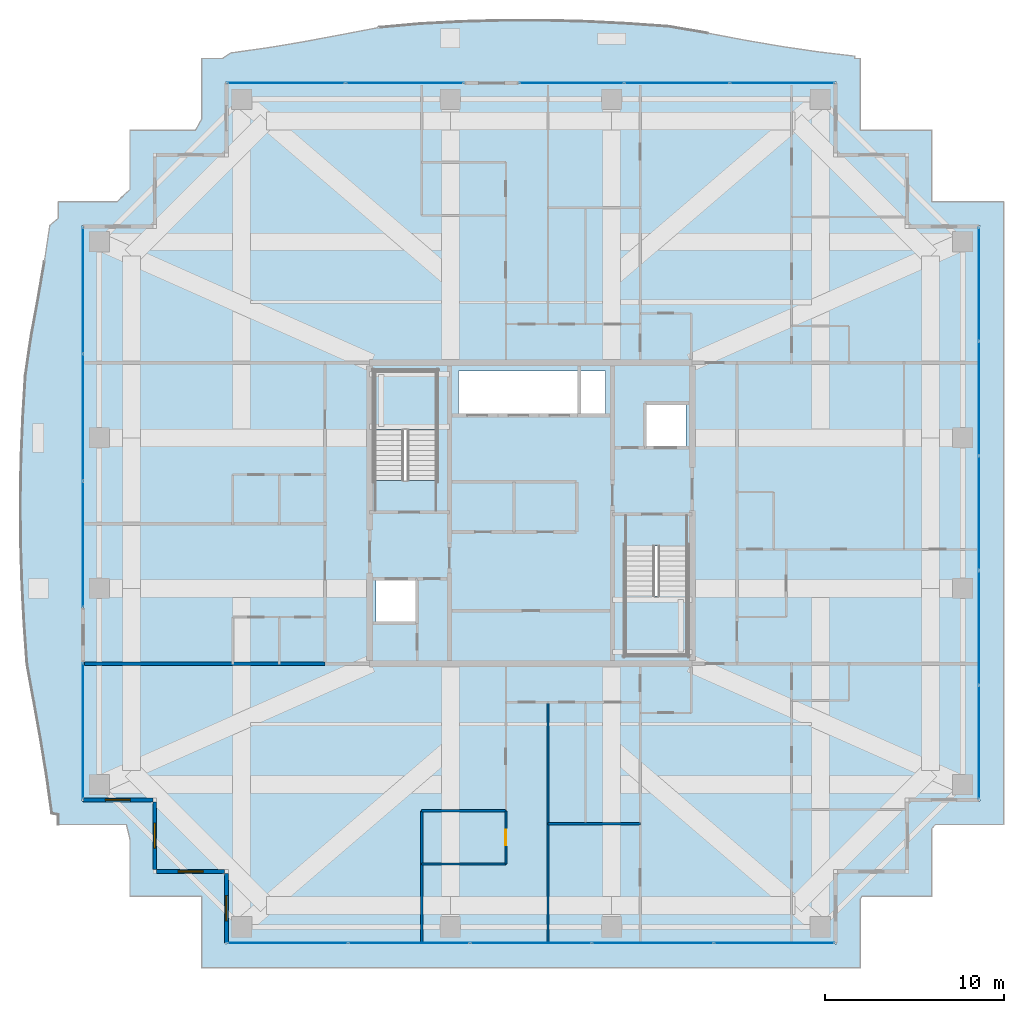
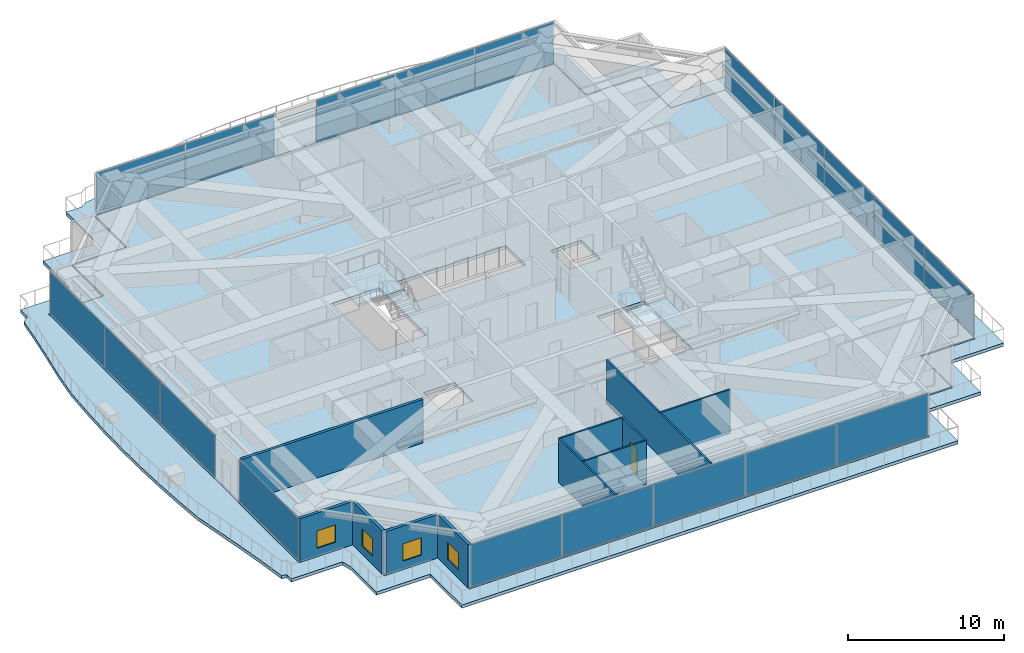
# One storey, part 27 of 39: 19 plates, 11 walls, 4 slabs, 4 windows, 1 door, 5 openings, 8 elements without a shape of their own.
"""IFC4 building model written with IfcOpenShell, lengths in metres."""

from ifc_helpers import new_model, si_unit, direction, frame, frame_2d, origin, origin_2d, place, context, subcontext, project, spatial, polyline, rectangle, outline, extrude, source, transform, mapped, material, layer, layer_set, type_object, element, fill, aggregate, save


model = new_model("IFC4")

# Units and contexts
model_context = context("Model", 3, precision=1e-05, world=origin(), true_north=direction((0.0, 1.0)))
body_context = subcontext(model_context, "Body", "Model", "MODEL_VIEW")
ifc_project = project(units=[si_unit("LENGTHUNIT", "METRE"), si_unit("AREAUNIT", "SQUARE_METRE"), si_unit("VOLUMEUNIT", "CUBIC_METRE"), si_unit("PLANEANGLEUNIT", "RADIAN"), si_unit("MASSUNIT", "GRAM", prefix="KILO")], contexts=[model_context])

# Site, building, storey
site_placement = place(None, origin())
site = spatial("IfcSite", under=ifc_project, at=site_placement, CompositionType="ELEMENT")
building_placement = place(site_placement, origin())
building = spatial("IfcBuilding", under=site, at=building_placement, Name="Serunith Strait Residences", CompositionType="ELEMENT")
storey_placement = place(building_placement, frame((0.0, 0.0, 283.60009765625)))
storey = spatial("IfcBuildingStorey", under=building, at=storey_placement, Name="L71", CompositionType="ELEMENT", Elevation=283.60009765625)

# Slab
ifc_material_1 = material(Name="Concrete C50/60", Category="concrete")
ifc_layer_1 = layer(ifc_material_1, 0.239990234375, Name="Concrete C50/60")
ifc_layer_set_1 = layer_set([ifc_layer_1], Name="Concrete C50/60")
slab_type_1 = type_object("IfcSlabType", Name="SLB-BALC-240", PredefinedType="FLOOR", material=ifc_layer_set_1)
slab_1_placement = place(storey_placement, frame((0.0, 0.0, -0.2900390625)))
element("IfcSlab", 1, at=slab_1_placement, inside=storey, type_object=slab_type_1, Name="L71 Planted Vertical-Forest Balcony Slab", PredefinedType="FLOOR", context=body_context, shape_type="SweptSolid", body=[
    extrude(outline(polyline([(6.02001953125, 7.820068359375), (6.02001953125, 8.379150390625), (5.656494140625, 8.440673828125), (5.374755859375, 10.47119140625), (5.040771484375, 12.523681640625), (4.665283203125, 14.614501953125), (4.2724609375, 16.76171875), (4.10888671875, 19.023193359375), (3.989013671875, 21.317138671875), (3.91748046875, 23.633544921875), (3.901611328125, 25.9599609375), (3.942626953125, 28.282958984375), (4.03759765625, 30.5888671875), (4.177978515625, 32.866943359375), (4.49658203125, 35.05908203125), (4.884033203125, 37.16943359375), (5.23828125, 39.2333984375), (5.543212890625, 41.269287109375), (6.02001953125, 41.67236328125), (6.02001953125, 42.580078125), (9.28466796875, 42.580078125), (10.02001953125, 43.265625), (10.02001953125, 46.580078125), (13.678955078125, 46.580078125), (14.02001953125, 47.198974609375), (14.02001953125, 50.580078125), (15.19189453125, 50.580078125), (15.632080078125, 50.88720703125), (17.65625, 51.17041015625), (19.700927734375, 51.511962890625), (21.7841796875, 51.901611328125), (23.927001953125, 52.31396484375), (26.18701171875, 52.51806640625), (28.493896484375, 52.638916015625), (30.82421875, 52.703125), (33.1640625, 52.704833984375), (35.4970703125, 52.644287109375), (37.80859375, 52.528076171875), (40.087890625, 52.3671875), (42.2626953125, 51.99658203125), (44.3623046875, 51.599365234375), (46.417724609375, 51.245849609375), (48.448486328125, 50.948974609375), (50.469482421875, 50.709716796875), (50.468505859375, 50.580078125), (50.780029296875, 50.580078125), (50.780029296875, 46.580078125), (54.780029296875, 46.580078125), (54.780029296875, 42.580078125), (58.780029296875, 42.580078125), (58.780029296875, 7.820068359375), (54.97509765625, 7.820068359375), (54.780029296875, 7.597900390625), (54.780029296875, 3.820068359375), (50.881103515625, 3.820068359375), (50.780029296875, 3.665283203125), (50.780029296875, -0.179931640625), (14.02001953125, -0.179931640625), (14.02001953125, 3.820068359375), (10.02001953125, 3.820068359375), (10.02001953125, 6.98779296875), (9.817626953125, 7.820068359375), (6.02001953125, 7.820068359375)]), holes=[polyline([(49.455078125, 1.14501953125), (49.455078125, 5.14501953125), (53.455078125, 5.14501953125), (53.455078125, 9.14501953125), (57.455078125, 9.14501953125), (57.455078125, 41.2548828125), (53.455078125, 41.2548828125), (53.455078125, 45.2548828125), (49.455078125, 45.2548828125), (49.455078125, 49.2548828125), (15.344970703125, 49.2548828125), (15.344970703125, 45.2548828125), (11.344970703125, 45.2548828125), (11.344970703125, 41.2548828125), (7.344970703125, 41.2548828125), (7.344970703125, 9.14501953125), (11.344970703125, 9.14501953125), (11.344970703125, 5.14501953125), (15.344970703125, 5.14501953125), (15.344970703125, 1.14501953125), (49.455078125, 1.14501953125)])]), origin(), (0.0, 0.0, 1.0), 0.239990234375),
])

# Stair, slab
stair_type_1 = type_object("IfcStairType", Name="STR-CORE-1", PredefinedType="HALF_TURN_STAIR", material=ifc_material_1)
stair_1_placement = place(storey_placement, origin())
stair_1 = element("IfcStair", 2, at=stair_1_placement, inside=storey, type_object=stair_type_1, Name="L71 Protected Escape Stair ST-1", PredefinedType="HALF_TURN_STAIR")
ifc_layer_2 = layer(ifc_material_1, 0.199951171875, Name="Concrete C50/60")
ifc_layer_set_2 = layer_set([ifc_layer_2], Name="Concrete C50/60")
slab_type_2 = type_object("IfcSlabType", Name="SLB-LAND-200", PredefinedType="LANDING", material=ifc_layer_set_2)
slab_2_placement = place(storey_placement, frame((0.0, 0.0, 1.724853515625)))
slab_2 = element("IfcSlab", 3, at=slab_2_placement, type_object=slab_type_2, Name="ST-1 landing 1", PredefinedType="LANDING", context=body_context, shape_type="SweptSolid", body=[
    extrude(outline(polyline([(27.14990234375, 29.830078125), (27.14990234375, 33.14990234375), (23.64990234375, 33.14990234375), (23.64990234375, 29.830078125), (27.14990234375, 29.830078125)])), origin(), (0.0, 0.0, 1.0), 0.199951171875),
])
aggregate(stair_1, [slab_2])

stair_type_2 = type_object("IfcStairType", Name="STR-CORE-2", PredefinedType="HALF_TURN_STAIR", material=ifc_material_1)
stair_2_placement = place(storey_placement, origin())
stair_2 = element("IfcStair", 4, at=stair_2_placement, inside=storey, type_object=stair_type_2, Name="L71 Protected Escape Stair ST-2", PredefinedType="HALF_TURN_STAIR")
slab_3_placement = place(storey_placement, frame((0.0, 0.0, 1.724853515625)))
slab_3 = element("IfcSlab", 5, at=slab_3_placement, type_object=slab_type_2, Name="ST-2 landing 1", PredefinedType="LANDING", context=body_context, shape_type="SweptSolid", body=[
    extrude(outline(polyline([(37.64990234375, 20.570068359375), (37.64990234375, 17.25), (41.14990234375, 17.25), (41.14990234375, 20.570068359375), (37.64990234375, 20.570068359375)])), origin(), (0.0, 0.0, 1.0), 0.199951171875),
])
aggregate(stair_2, [slab_3])

# Slab
ifc_material_2 = material(Name="Concrete C60/75", Category="concrete")
ifc_layer_3 = layer(ifc_material_2, 0.260009765625, Name="Concrete C60/75")
ifc_layer_set_3 = layer_set([ifc_layer_3], Name="Concrete C60/75")
slab_type_3 = type_object("IfcSlabType", Name="SLB-TWR-275-Z3", PredefinedType="FLOOR", material=ifc_layer_set_3)
slab_4_placement = place(storey_placement, frame((0.0, 0.0, -0.260009765625)))
element("IfcSlab", 6, at=slab_4_placement, inside=storey, type_object=slab_type_3, Name="L71 Structural Floor Plate", PredefinedType="FLOOR", context=body_context, shape_type="SweptSolid", body=[
    extrude(outline(polyline([(15.39990234375, 5.199951171875), (11.39990234375, 5.199951171875), (11.39990234375, 9.199951171875), (7.39990234375, 9.199951171875), (7.39990234375, 41.199951171875), (11.39990234375, 41.199951171875), (11.39990234375, 45.199951171875), (15.39990234375, 45.199951171875), (15.39990234375, 49.199951171875), (49.39990234375, 49.199951171875), (49.39990234375, 45.199951171875), (53.39990234375, 45.199951171875), (53.39990234375, 41.199951171875), (57.39990234375, 41.199951171875), (57.39990234375, 9.199951171875), (53.39990234375, 9.199951171875), (53.39990234375, 5.199951171875), (49.39990234375, 5.199951171875), (49.39990234375, 1.199951171875), (15.39990234375, 1.199951171875), (15.39990234375, 5.199951171875)]), holes=[polyline([(41.14990234375, 23.3701171875), (37.64990234375, 23.3701171875), (37.64990234375, 17.25), (41.14990234375, 17.25), (41.14990234375, 23.3701171875)]), polyline([(38.75, 31.25), (38.75, 28.85009765625), (41.050048828125, 28.85009765625), (41.050048828125, 31.25), (38.75, 31.25)]), polyline([(36.550048828125, 33.14990234375), (28.35009765625, 33.14990234375), (28.35009765625, 30.64990234375), (36.550048828125, 30.64990234375), (36.550048828125, 33.14990234375)]), polyline([(23.64990234375, 33.14990234375), (23.64990234375, 27.030029296875), (27.14990234375, 27.030029296875), (27.14990234375, 33.14990234375), (23.64990234375, 33.14990234375)]), polyline([(23.75, 21.550048828125), (23.75, 19.14990234375), (26.050048828125, 19.14990234375), (26.050048828125, 21.550048828125), (23.75, 21.550048828125)])]), origin(), (0.0, 0.0, 1.0), 0.260009765625),
])

# Curtain wall, plates
ifc_material_3 = material(Name="Pale-Champagne Anodised Aluminium", Category="aluminium")
ifc_layer_4 = layer(ifc_material_3, 0.199951171875, Name="Pale-Champagne Anodised Aluminium")
ifc_layer_set_4 = layer_set([ifc_layer_4], Name="Pale-Champagne Anodised Aluminium")
curtain_wall_type = type_object("IfcCurtainWallType", Name="CW-SYS4", PredefinedType="NOTDEFINED", material=ifc_layer_set_4)
curtain_wall_1_placement = place(storey_placement, origin())
curtain_wall_1 = element("IfcCurtainWall", 7, at=curtain_wall_1_placement, inside=storey, type_object=curtain_wall_type, Name="L71 S Unitised Fritted Curtain Wall", PredefinedType="NOTDEFINED")
ifc_material_4 = material(Name="Ceramic-Printed Solar-Control Glazing 28mm", Category="glass")
ifc_layer_5 = layer(ifc_material_4, 0.028076171875, Name="Ceramic-Printed Solar-Control Glazing 28mm")
ifc_layer_set_5 = layer_set([ifc_layer_5], Name="Ceramic-Printed Solar-Control Glazing 28mm")
plate_type = type_object("IfcPlateType", Name="CW-SYS4-PNL", PredefinedType="CURTAIN_PANEL", material=ifc_layer_set_5)
shared_shape_1 = source(origin(), body_context, "Body", "SweptSolid", [
    extrude(rectangle(XDim=6.702392578125, YDim=0.028076171875, at=origin_2d()), origin(), (0.0, 0.0, 1.0), 3.27490234375),
])
plate_1_placement = place(storey_placement, frame((18.816162109375, 1.199951171875, 0.06005859375), z_axis=(0.0, 0.0, 1.0), x_axis=(1.0, 0.0, 0.0)))
plate_1 = element("IfcPlate", 8, at=plate_1_placement, type_object=plate_type, Name="CW-4 panel 1.1", PredefinedType="CURTAIN_PANEL", context=body_context, shape_type="MappedRepresentation", body=[
    mapped(shared_shape_1, transform((0.0, 0.0, 0.0), scale=1.0)),
])
plate_2_placement = place(storey_placement, frame((45.983642578125, 1.199951171875, 0.06005859375), z_axis=(0.0, 0.0, 1.0), x_axis=(1.0, 0.0, 0.0)))
plate_2 = element("IfcPlate", 9, at=plate_2_placement, type_object=plate_type, Name="CW-4 panel 5.1", PredefinedType="CURTAIN_PANEL", context=body_context, shape_type="MappedRepresentation", body=[
    mapped(shared_shape_1, transform((0.0, 0.0, 0.0), scale=1.0)),
])
shared_shape_2 = source(origin(), body_context, "Body", "SweptSolid", [
    extrude(rectangle(XDim=6.735107421875, YDim=0.028076171875, at=origin_2d()), origin(), (0.0, 0.0, 1.0), 3.27490234375),
])
plate_3_placement = place(storey_placement, frame((25.60009765625, 1.199951171875, 0.06005859375), z_axis=(0.0, 0.0, 1.0), x_axis=(1.0, 0.0, 0.0)))
plate_3 = element("IfcPlate", 10, at=plate_3_placement, type_object=plate_type, Name="CW-4 panel 2.1", PredefinedType="CURTAIN_PANEL", context=body_context, shape_type="MappedRepresentation", body=[
    mapped(shared_shape_2, transform((0.0, 0.0, 0.0), scale=1.0)),
])
plate_4_placement = place(storey_placement, frame((32.39990234375, 1.199951171875, 0.06005859375), z_axis=(0.0, 0.0, 1.0), x_axis=(1.0, 0.0, 0.0)))
plate_4 = element("IfcPlate", 11, at=plate_4_placement, type_object=plate_type, Name="CW-4 panel 3.1", PredefinedType="CURTAIN_PANEL", context=body_context, shape_type="MappedRepresentation", body=[
    mapped(shared_shape_2, transform((0.0, 0.0, 0.0), scale=1.0)),
])
plate_5_placement = place(storey_placement, frame((39.199951171875, 1.199951171875, 0.06005859375), z_axis=(0.0, 0.0, 1.0), x_axis=(1.0, 0.0, 0.0)))
plate_5 = element("IfcPlate", 12, at=plate_5_placement, type_object=plate_type, Name="CW-4 panel 4.1", PredefinedType="CURTAIN_PANEL", context=body_context, shape_type="MappedRepresentation", body=[
    mapped(shared_shape_2, transform((0.0, 0.0, 0.0), scale=1.0)),
])
aggregate(curtain_wall_1, [plate_1, plate_3, plate_4, plate_5, plate_2])

curtain_wall_2_placement = place(storey_placement, origin())
curtain_wall_2 = element("IfcCurtainWall", 13, at=curtain_wall_2_placement, inside=storey, type_object=curtain_wall_type, Name="L71 E Unitised Fritted Curtain Wall", PredefinedType="NOTDEFINED")
shared_shape_3 = source(origin(), body_context, "Body", "SweptSolid", [
    extrude(rectangle(XDim=6.302490234375, YDim=0.028076171875, at=origin_2d()), origin(), (0.0, 0.0, 1.0), 3.27490234375),
])
plate_6_placement = place(storey_placement, frame((57.39990234375, 12.416259765625, 0.06005859375), z_axis=(0.0, 0.0, 1.0), x_axis=(0.0, 1.0, 0.0)))
plate_6 = element("IfcPlate", 14, at=plate_6_placement, type_object=plate_type, Name="CW-4 panel 1.1", PredefinedType="CURTAIN_PANEL", context=body_context, shape_type="MappedRepresentation", body=[
    mapped(shared_shape_3, transform((0.0, 0.0, 0.0), scale=1.0)),
])
plate_7_placement = place(storey_placement, frame((57.39990234375, 37.983642578125, 0.06005859375), z_axis=(0.0, 0.0, 1.0), x_axis=(0.0, 1.0, 0.0)))
plate_7 = element("IfcPlate", 15, at=plate_7_placement, type_object=plate_type, Name="CW-4 panel 5.1", PredefinedType="CURTAIN_PANEL", context=body_context, shape_type="MappedRepresentation", body=[
    mapped(shared_shape_3, transform((0.0, 0.0, 0.0), scale=1.0)),
])
shared_shape_4 = source(origin(), body_context, "Body", "SweptSolid", [
    extrude(rectangle(XDim=6.3349609375, YDim=0.028076171875, at=origin_2d()), origin(), (0.0, 0.0, 1.0), 3.27490234375),
])
plate_8_placement = place(storey_placement, frame((57.39990234375, 18.800048828125, 0.06005859375), z_axis=(0.0, 0.0, 1.0), x_axis=(0.0, 1.0, 0.0)))
plate_8 = element("IfcPlate", 16, at=plate_8_placement, type_object=plate_type, Name="CW-4 panel 2.1", PredefinedType="CURTAIN_PANEL", context=body_context, shape_type="MappedRepresentation", body=[
    mapped(shared_shape_4, transform((0.0, 0.0, 0.0), scale=1.0)),
])
plate_9_placement = place(storey_placement, frame((57.39990234375, 25.199951171875, 0.06005859375), z_axis=(0.0, 0.0, 1.0), x_axis=(0.0, 1.0, 0.0)))
plate_9 = element("IfcPlate", 17, at=plate_9_placement, type_object=plate_type, Name="CW-4 panel 3.1", PredefinedType="CURTAIN_PANEL", context=body_context, shape_type="MappedRepresentation", body=[
    mapped(shared_shape_4, transform((0.0, 0.0, 0.0), scale=1.0)),
])
plate_10_placement = place(storey_placement, frame((57.39990234375, 31.60009765625, 0.06005859375), z_axis=(0.0, 0.0, 1.0), x_axis=(0.0, 1.0, 0.0)))
plate_10 = element("IfcPlate", 18, at=plate_10_placement, type_object=plate_type, Name="CW-4 panel 4.1", PredefinedType="CURTAIN_PANEL", context=body_context, shape_type="MappedRepresentation", body=[
    mapped(shared_shape_4, transform((0.0, 0.0, 0.0), scale=1.0)),
])
aggregate(curtain_wall_2, [plate_6, plate_8, plate_9, plate_10, plate_7])

curtain_wall_3_placement = place(storey_placement, origin())
curtain_wall_3 = element("IfcCurtainWall", 19, at=curtain_wall_3_placement, inside=storey, type_object=curtain_wall_type, Name="L71 N Unitised Fritted Curtain Wall", PredefinedType="NOTDEFINED")
shared_shape_5 = source(origin(), body_context, "Body", "SweptSolid", [
    extrude(rectangle(XDim=5.802490234375, YDim=0.028076171875, at=origin_2d()), origin(), (0.0, 0.0, 1.0), 3.27490234375),
])
plate_11_placement = place(storey_placement, frame((46.433837890625, 49.199951171875, 0.06005859375), z_axis=(0.0, 0.0, 1.0), x_axis=(-1.0, 0.0, 0.0)))
plate_11 = element("IfcPlate", 20, at=plate_11_placement, type_object=plate_type, Name="CW-4 panel 1.1", PredefinedType="CURTAIN_PANEL", context=body_context, shape_type="MappedRepresentation", body=[
    mapped(shared_shape_5, transform((0.0, 0.0, 0.0), scale=1.0)),
])
plate_12_placement = place(storey_placement, frame((34.666259765625, 49.199951171875, 0.06005859375), z_axis=(0.0, 0.0, 1.0), x_axis=(-1.0, 0.0, 0.0)))
plate_12 = element("IfcPlate", 21, at=plate_12_placement, type_object=plate_type, Name="CW-4 panel 3.1", PredefinedType="CURTAIN_PANEL", context=body_context, shape_type="MappedRepresentation", body=[
    mapped(shared_shape_5, transform((0.0, 0.0, 0.0), scale=1.0)),
])
shared_shape_6 = source(origin(), body_context, "Body", "SweptSolid", [
    extrude(rectangle(XDim=5.8349609375, YDim=0.028076171875, at=origin_2d()), origin(), (0.0, 0.0, 1.0), 3.27490234375),
])
plate_13_placement = place(storey_placement, frame((40.550048828125, 49.199951171875, 0.06005859375), z_axis=(0.0, 0.0, 1.0), x_axis=(-1.0, 0.0, 0.0)))
plate_13 = element("IfcPlate", 22, at=plate_13_placement, type_object=plate_type, Name="CW-4 panel 2.1", PredefinedType="CURTAIN_PANEL", context=body_context, shape_type="MappedRepresentation", body=[
    mapped(shared_shape_6, transform((0.0, 0.0, 0.0), scale=1.0)),
])
aggregate(curtain_wall_3, [plate_11, plate_13, plate_12])

curtain_wall_4_placement = place(storey_placement, origin())
curtain_wall_4 = element("IfcCurtainWall", 23, at=curtain_wall_4_placement, inside=storey, type_object=curtain_wall_type, Name="L71 N Unitised Fritted Curtain Wall", PredefinedType="NOTDEFINED")
shared_shape_7 = source(origin(), body_context, "Body", "SweptSolid", [
    extrude(rectangle(XDim=6.552490234375, YDim=0.028076171875, at=origin_2d()), origin(), (0.0, 0.0, 1.0), 3.27490234375),
])
plate_14_placement = place(storey_placement, frame((25.358642578125, 49.199951171875, 0.06005859375), z_axis=(0.0, 0.0, 1.0), x_axis=(-1.0, 0.0, 0.0)))
plate_14 = element("IfcPlate", 24, at=plate_14_placement, type_object=plate_type, Name="CW-4 panel 1.1", PredefinedType="CURTAIN_PANEL", context=body_context, shape_type="MappedRepresentation", body=[
    mapped(shared_shape_7, transform((0.0, 0.0, 0.0), scale=1.0)),
])
plate_15_placement = place(storey_placement, frame((18.7412109375, 49.199951171875, 0.06005859375), z_axis=(0.0, 0.0, 1.0), x_axis=(-1.0, 0.0, 0.0)))
plate_15 = element("IfcPlate", 25, at=plate_15_placement, type_object=plate_type, Name="CW-4 panel 2.1", PredefinedType="CURTAIN_PANEL", context=body_context, shape_type="MappedRepresentation", body=[
    mapped(shared_shape_7, transform((0.0, 0.0, 0.0), scale=1.0)),
])
aggregate(curtain_wall_4, [plate_14, plate_15])

curtain_wall_5_placement = place(storey_placement, origin())
curtain_wall_5 = element("IfcCurtainWall", 26, at=curtain_wall_5_placement, inside=storey, type_object=curtain_wall_type, Name="L71 W Unitised Fritted Curtain Wall", PredefinedType="NOTDEFINED")
shared_shape_8 = source(origin(), body_context, "Body", "SweptSolid", [
    extrude(rectangle(XDim=7.00244140625, YDim=0.028076171875, at=origin_2d()), origin(), (0.0, 0.0, 1.0), 3.27490234375),
])
plate_16_placement = place(storey_placement, frame((7.39990234375, 37.6337890625, 0.06005859375), z_axis=(0.0, 0.0, 1.0), x_axis=(0.0, -1.0, 0.0)))
plate_16 = element("IfcPlate", 27, at=plate_16_placement, type_object=plate_type, Name="CW-4 panel 1.1", PredefinedType="CURTAIN_PANEL", context=body_context, shape_type="MappedRepresentation", body=[
    mapped(shared_shape_8, transform((0.0, 0.0, 0.0), scale=1.0)),
])
plate_17_placement = place(storey_placement, frame((7.39990234375, 23.46630859375, 0.06005859375), z_axis=(0.0, 0.0, 1.0), x_axis=(0.0, -1.0, 0.0)))
plate_17 = element("IfcPlate", 28, at=plate_17_placement, type_object=plate_type, Name="CW-4 panel 3.1", PredefinedType="CURTAIN_PANEL", context=body_context, shape_type="MappedRepresentation", body=[
    mapped(shared_shape_8, transform((0.0, 0.0, 0.0), scale=1.0)),
])
shared_shape_9 = source(origin(), body_context, "Body", "SweptSolid", [
    extrude(rectangle(XDim=7.034912109375, YDim=0.028076171875, at=origin_2d()), origin(), (0.0, 0.0, 1.0), 3.27490234375),
])
plate_18_placement = place(storey_placement, frame((7.39990234375, 30.550048828125, 0.06005859375), z_axis=(0.0, 0.0, 1.0), x_axis=(0.0, -1.0, 0.0)))
plate_18 = element("IfcPlate", 29, at=plate_18_placement, type_object=plate_type, Name="CW-4 panel 2.1", PredefinedType="CURTAIN_PANEL", context=body_context, shape_type="MappedRepresentation", body=[
    mapped(shared_shape_9, transform((0.0, 0.0, 0.0), scale=1.0)),
])
aggregate(curtain_wall_5, [plate_16, plate_18, plate_17])

# Curtain wall, plate
curtain_wall_6_placement = place(storey_placement, origin())
curtain_wall_6 = element("IfcCurtainWall", 30, at=curtain_wall_6_placement, inside=storey, type_object=curtain_wall_type, Name="L71 W Unitised Fritted Curtain Wall", PredefinedType="NOTDEFINED")
shared_shape_10 = source(origin(), body_context, "Body", "SweptSolid", [
    extrude(rectangle(XDim=7.570068359375, YDim=0.028076171875, at=origin_2d()), origin(), (0.0, 0.0, 1.0), 3.27490234375),
])
plate_19_placement = place(storey_placement, frame((7.39990234375, 13.050048828125, 0.06005859375), z_axis=(0.0, 0.0, 1.0), x_axis=(0.0, -1.0, 0.0)))
plate_19 = element("IfcPlate", 31, at=plate_19_placement, type_object=plate_type, Name="CW-4 panel 1.1", PredefinedType="CURTAIN_PANEL", context=body_context, shape_type="MappedRepresentation", body=[
    mapped(shared_shape_10, transform((0.0, 0.0, 0.0), scale=1.0)),
])
aggregate(curtain_wall_6, [plate_19])

# Wall, opening, window
ifc_material_5 = material(Name="Pale-Champagne Aluminium Insulated Panel", Category="aluminium")
ifc_layer_6 = layer(ifc_material_5, 0.219970703125, Name="Pale-Champagne Aluminium Insulated Panel")
ifc_layer_set_6 = layer_set([ifc_layer_6], Name="Pale-Champagne Aluminium Insulated Panel")
wall_type_1 = type_object("IfcWallType", Name="EW-ALUM-220", PredefinedType="ELEMENTEDWALL", material=ifc_layer_set_6)
wall_1_placement = place(storey_placement, frame((7.39990234375, 9.199951171875, 0.0), z_axis=(0.0, 0.0, 1.0), x_axis=(1.0, 0.0, 0.0)))
wall_1 = element("IfcWall", 32, at=wall_1_placement, inside=storey, type_object=wall_type_1, Name="L71 Girih Serrated Corner Wall 17", PredefinedType="ELEMENTEDWALL", context=body_context, shape_type="SweptSolid", body=[
    extrude(rectangle(XDim=3.89013671875, YDim=0.219970703125, at=frame_2d((1.945068359375, 0.0))), origin(), (0.0, 0.0, 1.0), 3.39501953125),
])
opening_1_placement = place(wall_1_placement, frame((1.2451171875, 0.0, 0.64990234375)))
opening_1 = element("IfcOpeningElement", 33, at=opening_1_placement, cuts=wall_1, Name="Opening W-09", PredefinedType="OPENING", context=body_context, shape_type="SweptSolid", body=[
    extrude(rectangle(XDim=1.39990234375, YDim=1.35009765625, at=frame_2d((0.699951171875, 0.675048828125))), frame((0.0, 0.1201171875, 0.0), z_axis=(0.0, -1.0, 0.0), x_axis=(1.0, 0.0, 0.0)), (0.0, 0.0, 1.0), 0.239990234375),
])
ifc_material_6 = material(Name="Setback Spandrel Ceramic-Fritted Operable Window Glass", Category="glass")
window_type = type_object("IfcWindowType", Name="WIN-C7", PartitioningType="DOUBLE_PANEL_VERTICAL", PredefinedType="WINDOW", material=ifc_material_6)
shared_shape_11 = source(origin(), body_context, "Body", "SweptSolid", [
    extrude(rectangle(XDim=1.39990234375, YDim=1.35009765625, at=frame_2d((0.699951171875, 0.675048828125))), frame((0.0, 0.030029296875, 0.0), z_axis=(0.0, -1.0, 0.0), x_axis=(1.0, 0.0, 0.0)), (0.0, 0.0, 1.0), 0.06005859375),
])
window_1_placement = place(opening_1_placement, origin())
window_1 = element("IfcWindow", 34, at=window_1_placement, inside=storey, type_object=window_type, Name="L71 Corner Operable Fritted Window 17", OverallHeight=1.35009765625, OverallWidth=1.39990234375, PartitioningType="SINGLE_PANEL", PredefinedType="WINDOW", context=body_context, shape_type="MappedRepresentation", body=[
    mapped(shared_shape_11, transform((0.0, 0.0, 0.0), scale=1.0)),
])
fill(opening_1, window_1)

wall_2_placement = place(storey_placement, frame((11.39990234375, 9.090087890625, 0.0), z_axis=(0.0, 0.0, 1.0), x_axis=(0.0, -1.0, 0.0)))
wall_2 = element("IfcWall", 35, at=wall_2_placement, inside=storey, type_object=wall_type_1, Name="L71 Girih Serrated Corner Wall 18", PredefinedType="ELEMENTEDWALL", context=body_context, shape_type="SweptSolid", body=[
    extrude(rectangle(XDim=3.780029296875, YDim=0.219970703125, at=frame_2d((1.89013671875, 0.0))), origin(), (0.0, 0.0, 1.0), 3.39501953125),
])
opening_2_placement = place(wall_2_placement, frame((1.18994140625, 0.0, 0.64990234375)))
opening_2 = element("IfcOpeningElement", 36, at=opening_2_placement, cuts=wall_2, Name="Opening W-09", PredefinedType="OPENING", context=body_context, shape_type="SweptSolid", body=[
    extrude(rectangle(XDim=1.39990234375, YDim=1.35009765625, at=frame_2d((0.699951171875, 0.675048828125))), frame((0.0, 0.1201171875, 0.0), z_axis=(0.0, -1.0, 0.0), x_axis=(1.0, 0.0, 0.0)), (0.0, 0.0, 1.0), 0.239990234375),
])
window_2_placement = place(opening_2_placement, origin())
window_2 = element("IfcWindow", 37, at=window_2_placement, inside=storey, type_object=window_type, Name="L71 Corner Operable Fritted Window 18", OverallHeight=1.35009765625, OverallWidth=1.39990234375, PartitioningType="SINGLE_PANEL", PredefinedType="WINDOW", context=body_context, shape_type="MappedRepresentation", body=[
    mapped(shared_shape_11, transform((0.0, 0.0, 0.0), scale=1.0)),
])
fill(opening_2, window_2)

wall_3_placement = place(storey_placement, frame((11.510009765625, 5.199951171875, 0.0), z_axis=(0.0, 0.0, 1.0), x_axis=(1.0, 0.0, 0.0)))
wall_3 = element("IfcWall", 38, at=wall_3_placement, inside=storey, type_object=wall_type_1, Name="L71 Girih Serrated Corner Wall 19", PredefinedType="ELEMENTEDWALL", context=body_context, shape_type="SweptSolid", body=[
    extrude(rectangle(XDim=3.780029296875, YDim=0.219970703125, at=frame_2d((1.89013671875, 0.0))), origin(), (0.0, 0.0, 1.0), 3.39501953125),
])
opening_3_placement = place(wall_3_placement, frame((1.18994140625, 0.0, 0.64990234375)))
opening_3 = element("IfcOpeningElement", 39, at=opening_3_placement, cuts=wall_3, Name="Opening W-09", PredefinedType="OPENING", context=body_context, shape_type="SweptSolid", body=[
    extrude(rectangle(XDim=1.39990234375, YDim=1.35009765625, at=frame_2d((0.699951171875, 0.675048828125))), frame((0.0, 0.1201171875, 0.0), z_axis=(0.0, -1.0, 0.0), x_axis=(1.0, 0.0, 0.0)), (0.0, 0.0, 1.0), 0.239990234375),
])
window_3_placement = place(opening_3_placement, origin())
window_3 = element("IfcWindow", 40, at=window_3_placement, inside=storey, type_object=window_type, Name="L71 Corner Operable Fritted Window 19", OverallHeight=1.35009765625, OverallWidth=1.39990234375, PartitioningType="SINGLE_PANEL", PredefinedType="WINDOW", context=body_context, shape_type="MappedRepresentation", body=[
    mapped(shared_shape_11, transform((0.0, 0.0, 0.0), scale=1.0)),
])
fill(opening_3, window_3)

wall_4_placement = place(storey_placement, frame((15.39990234375, 5.090087890625, 0.0), z_axis=(0.0, 0.0, 1.0), x_axis=(0.0, -1.0, 0.0)))
wall_4 = element("IfcWall", 41, at=wall_4_placement, inside=storey, type_object=wall_type_1, Name="L71 Girih Serrated Corner Wall 20", PredefinedType="ELEMENTEDWALL", context=body_context, shape_type="SweptSolid", body=[
    extrude(rectangle(XDim=3.89013671875, YDim=0.219970703125, at=frame_2d((1.945068359375, 0.0))), origin(), (0.0, 0.0, 1.0), 3.39501953125),
])
opening_4_placement = place(wall_4_placement, frame((1.2451171875, 0.0, 0.64990234375)))
opening_4 = element("IfcOpeningElement", 42, at=opening_4_placement, cuts=wall_4, Name="Opening W-09", PredefinedType="OPENING", context=body_context, shape_type="SweptSolid", body=[
    extrude(rectangle(XDim=1.39990234375, YDim=1.35009765625, at=frame_2d((0.699951171875, 0.675048828125))), frame((0.0, 0.1201171875, 0.0), z_axis=(0.0, -1.0, 0.0), x_axis=(1.0, 0.0, 0.0)), (0.0, 0.0, 1.0), 0.239990234375),
])
window_4_placement = place(opening_4_placement, origin())
window_4 = element("IfcWindow", 43, at=window_4_placement, inside=storey, type_object=window_type, Name="L71 Corner Operable Fritted Window 20", OverallHeight=1.35009765625, OverallWidth=1.39990234375, PartitioningType="SINGLE_PANEL", PredefinedType="WINDOW", context=body_context, shape_type="MappedRepresentation", body=[
    mapped(shared_shape_11, transform((0.0, 0.0, 0.0), scale=1.0)),
])
fill(opening_4, window_4)

# Walls
ifc_material_7 = material(Name="Lightweight steel-stud gypsum partition", Category="steel")
ifc_layer_7 = layer(ifc_material_7, 0.1201171875, Name="Lightweight steel-stud gypsum partition")
ifc_layer_set_7 = layer_set([ifc_layer_7], Name="Lightweight steel-stud gypsum partition")
wall_type_2 = type_object("IfcWallType", Name="IW-PART-120", PredefinedType="PARTITIONING", material=ifc_layer_set_7)
wall_5_placement = place(storey_placement, frame((33.35009765625, 7.860107421875, 0.0), z_axis=(0.0, 0.0, 1.0), x_axis=(1.0, 0.0, 0.0)))
element("IfcWall", 44, at=wall_5_placement, inside=storey, type_object=wall_type_2, Name="L71 Partition Wall 034", PredefinedType="PARTITIONING", context=body_context, shape_type="SweptSolid", body=[
    extrude(rectangle(XDim=5.14990234375, YDim=0.1201171875, at=frame_2d((2.574951171875, 0.0))), origin(), (0.0, 0.0, 1.0), 3.409912109375),
])
wall_6_placement = place(storey_placement, frame((33.35009765625, 1.294921875, 0.0), z_axis=(0.0, 0.0, 1.0), x_axis=(0.0, 1.0, 0.0)))
element("IfcWall", 45, at=wall_6_placement, inside=storey, type_object=wall_type_2, Name="L71 Partition Wall 035", PredefinedType="PARTITIONING", context=body_context, shape_type="SweptSolid", body=[
    extrude(rectangle(XDim=13.35498046875, YDim=0.1201171875, at=frame_2d((6.677490234375, 0.0))), origin(), (0.0, 0.0, 1.0), 3.409912109375),
])
wall_7_placement = place(storey_placement, frame((26.300048828125, 5.60888671875, 0.0), z_axis=(0.0, 0.0, 1.0), x_axis=(1.0, 0.0, 0.0)))
element("IfcWall", 46, at=wall_7_placement, inside=storey, type_object=wall_type_2, Name="L71 Partition Wall 040", PredefinedType="PARTITIONING", context=body_context, shape_type="SweptSolid", body=[
    extrude(rectangle(XDim=4.699951171875, YDim=0.1201171875, at=frame_2d((2.35009765625, 0.0))), origin(), (0.0, 0.0, 1.0), 3.409912109375),
])
wall_8_placement = place(storey_placement, frame((26.300048828125, 1.294921875, 0.0), z_axis=(0.0, 0.0, 1.0), x_axis=(0.0, 1.0, 0.0)))
element("IfcWall", 47, at=wall_8_placement, inside=storey, type_object=wall_type_2, Name="L71 Partition Wall 041", PredefinedType="PARTITIONING", context=body_context, shape_type="SweptSolid", body=[
    extrude(rectangle(XDim=7.29296875, YDim=0.1201171875, at=frame_2d((3.646484375, 0.0))), origin(), (0.0, 0.0, 1.0), 3.409912109375),
])
wall_9_placement = place(storey_placement, frame((26.300048828125, 8.587890625, 0.0), z_axis=(0.0, 0.0, 1.0), x_axis=(1.0, 0.0, 0.0)))
element("IfcWall", 48, at=wall_9_placement, inside=storey, type_object=wall_type_2, Name="L71 Partition Wall 042", PredefinedType="PARTITIONING", context=body_context, shape_type="SweptSolid", body=[
    extrude(rectangle(XDim=4.699951171875, YDim=0.1201171875, at=frame_2d((2.35009765625, 0.0))), origin(), (0.0, 0.0, 1.0), 3.409912109375),
])

# Wall, opening, door
wall_10_placement = place(storey_placement, frame((31.0, 5.60888671875, 0.0), z_axis=(0.0, 0.0, 1.0), x_axis=(0.0, 1.0, 0.0)))
wall_10 = element("IfcWall", 49, at=wall_10_placement, inside=storey, type_object=wall_type_2, Name="L71 Partition Wall 043", PredefinedType="PARTITIONING", context=body_context, shape_type="SweptSolid", body=[
    extrude(rectangle(XDim=2.97900390625, YDim=0.1201171875, at=frame_2d((1.489501953125, 0.0))), origin(), (0.0, 0.0, 1.0), 3.409912109375),
])
opening_5_placement = place(wall_10_placement, frame((1.06396484375, 0.0, 0.0)))
opening_5 = element("IfcOpeningElement", 50, at=opening_5_placement, cuts=wall_10, Name="Opening D-BTH850", PredefinedType="OPENING", context=body_context, shape_type="SweptSolid", body=[
    extrude(rectangle(XDim=0.85009765625, YDim=2.10009765625, at=frame_2d((0.425048828125, 1.050048828125))), frame((0.0, 0.070068359375, 0.0), z_axis=(0.0, -1.0, 0.0), x_axis=(1.0, 0.0, 0.0)), (0.0, 0.0, 1.0), 0.14013671875),
])
ifc_material_8 = material(Name="Moisture-resistant timber bathroom door", Category="wood")
door_type = type_object("IfcDoorType", Name="ID-BATH-850", OperationType="NOTDEFINED", PredefinedType="DOOR", material=ifc_material_8)
shared_shape_12 = source(origin(), body_context, "Body", "SweptSolid", [
    extrude(rectangle(XDim=0.85009765625, YDim=2.10009765625, at=frame_2d((0.425048828125, 1.050048828125))), frame((0.0, 0.02490234375, 0.0), z_axis=(0.0, -1.0, 0.0), x_axis=(1.0, 0.0, 0.0)), (0.0, 0.0, 1.0), 0.050048828125),
])
door_placement = place(opening_5_placement, origin())
door = element("IfcDoor", 51, at=door_placement, inside=storey, type_object=door_type, Name="L71 En-suite Bathroom W 7101 Door", OperationType="SINGLE_SWING_RIGHT", OverallHeight=2.10009765625, OverallWidth=0.85009765625, PredefinedType="DOOR", context=body_context, shape_type="MappedRepresentation", body=[
    mapped(shared_shape_12, transform((0.0, 0.0, 0.0), scale=1.0)),
])
fill(opening_5, door)

# Wall
ifc_material_9 = material(Name="Twin-stud acoustic gypsum board partition")
ifc_layer_8 = layer(ifc_material_9, 0.199951171875, Name="Twin-stud acoustic gypsum board partition")
ifc_layer_set_8 = layer_set([ifc_layer_8], Name="Twin-stud acoustic gypsum board partition")
wall_type_3 = type_object("IfcWallType", Name="IW-PARTY-200", PredefinedType="PARTITIONING", material=ifc_layer_set_8)
wall_11_placement = place(storey_placement, frame((7.48193359375, 16.800048828125, 0.0), z_axis=(0.0, 0.0, 1.0), x_axis=(1.0, 0.0, 0.0)))
element("IfcWall", 52, at=wall_11_placement, inside=storey, type_object=wall_type_3, Name="L71 Partition Wall 019", PredefinedType="PARTITIONING", context=body_context, shape_type="SweptSolid", body=[
    extrude(rectangle(XDim=13.41796875, YDim=0.199951171875, at=frame_2d((6.708984375, 0.0))), origin(), (0.0, 0.0, 1.0), 3.409912109375),
])

save(model, "model.ifc")
